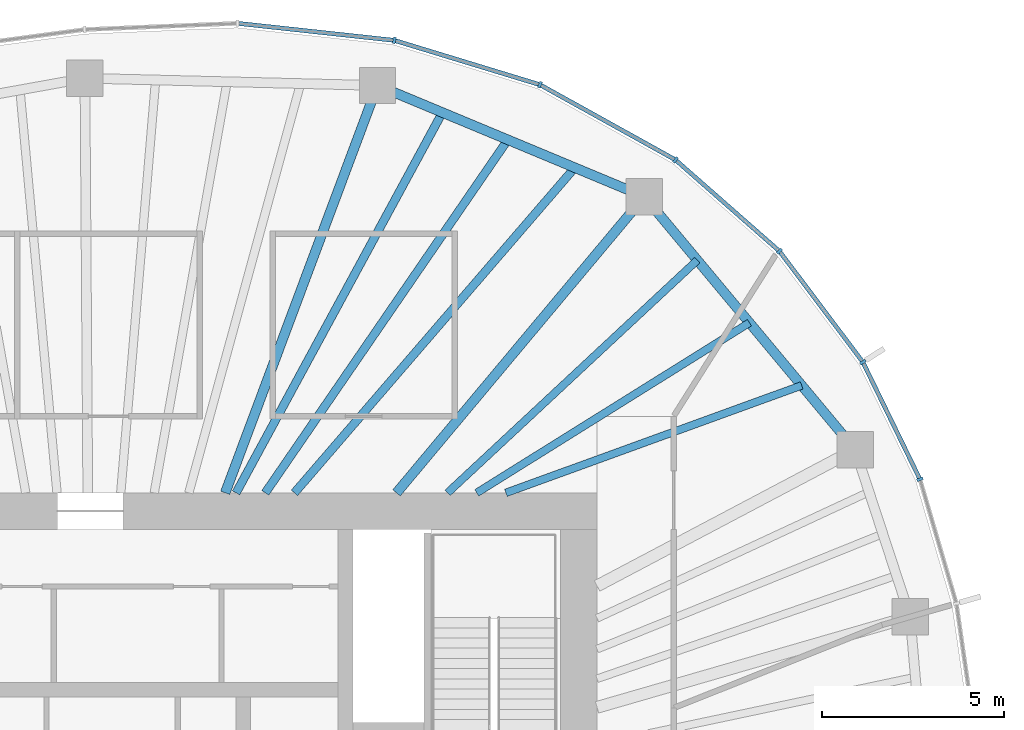
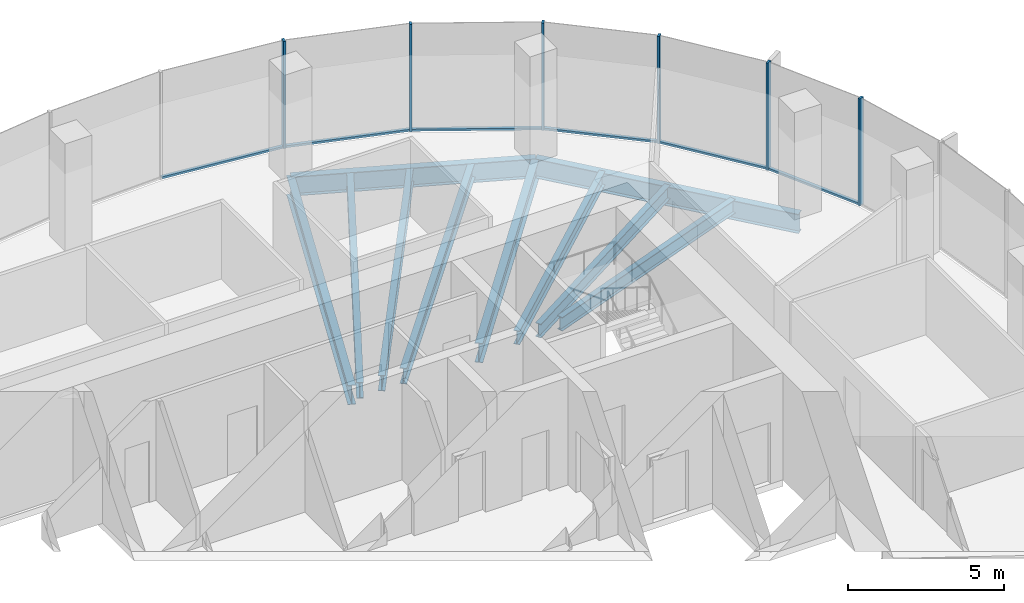
# One storey, part 6 of 11: 12 members, 10 beams, 4 elements without a shape of their own.
"""IFC4 building model written with IfcOpenShell, lengths in metres."""

from ifc_helpers import new_model, si_unit, direction, frame, origin, origin_2d, place, context, subcontext, project, spatial, rectangle, i_section, extrude, material, material_profile, profile_set, type_object, element, aggregate, save


model = new_model("IFC4")

# Units and contexts
model_context = context("Model", 3, precision=1e-05, world=origin(), true_north=direction((0.0, 1.0)))
body_context = subcontext(model_context, "Body", "Model", "MODEL_VIEW")
ifc_project = project(units=[si_unit("LENGTHUNIT", "METRE"), si_unit("AREAUNIT", "SQUARE_METRE"), si_unit("VOLUMEUNIT", "CUBIC_METRE"), si_unit("PLANEANGLEUNIT", "RADIAN"), si_unit("MASSUNIT", "GRAM", prefix="KILO")], contexts=[model_context])

# Site, building, storey
site_placement = place(None, origin())
site = spatial("IfcSite", under=ifc_project, at=site_placement, CompositionType="ELEMENT")
building_placement = place(site_placement, origin())
building = spatial("IfcBuilding", under=site, at=building_placement, Name="Ghaith Harvest Tower", CompositionType="ELEMENT")
storey_placement = place(building_placement, frame((0.0, 0.0, 330.0)))
storey = spatial("IfcBuildingStorey", under=building, at=storey_placement, Name="L74", CompositionType="ELEMENT", Elevation=330.0)

# Curtain wall, member
ifc_material_1 = material(Name="Black anodised aluminium and fritted glass", Category="aluminium")
curtain_wall_type = type_object("IfcCurtainWallType", Name="CW-T CURTAIN WALL", PredefinedType="NOTDEFINED", material=ifc_material_1)
curtain_wall_1_placement = place(storey_placement, origin())
curtain_wall_1 = element("IfcCurtainWall", 1, at=curtain_wall_1_placement, inside=storey, type_object=curtain_wall_type, Name="Curtain wall CW-T bay 02 L74", PredefinedType="NOTDEFINED")
ifc_material_2 = material(Name="Aluminium, black anodised", Category="aluminium")
ifc_material_profile_1 = material_profile(ifc_material_2, rectangle(XDim=0.080078125, YDim=0.179931640625, at=origin_2d()), Name="CW-T MULLION 80x180")
ifc_profile_set_1 = profile_set([ifc_material_profile_1], Name="Aluminium, black anodised")
member_type_1 = type_object("IfcMemberType", Name="CW-T MULLION 80x180", PredefinedType="MULLION", material=ifc_profile_set_1)
member_1_placement = place(storey_placement, frame((22.754150390625, 10.272216796875, 0.0), z_axis=(0.0, 0.0, 1.0), x_axis=(-0.361184273709, 0.932494461338, 0.0)))
member_1 = element("IfcMember", 2, at=member_1_placement, type_object=member_type_1, Name="CW-T mullion 2 bay 02 L74", PredefinedType="MULLION", context=body_context, shape_type="SweptSolid", body=[
    extrude(rectangle(XDim=0.080078125, YDim=0.179931640625, at=origin_2d()), origin(), (0.0, 0.0, 1.0), 4.199951171875),
])

# Curtain wall, members
curtain_wall_2_placement = place(storey_placement, origin())
curtain_wall_2 = element("IfcCurtainWall", 3, at=curtain_wall_2_placement, inside=storey, type_object=curtain_wall_type, Name="Curtain wall CW-T bay 03 L74", PredefinedType="NOTDEFINED")
member_2_placement = place(storey_placement, frame((21.18896484375, 13.48486328125, 0.0), z_axis=(0.0, 0.0, 1.0), x_axis=(-0.524482238522, 0.851421388899, 0.0)))
member_2 = element("IfcMember", 4, at=member_2_placement, type_object=member_type_1, Name="CW-T mullion 1 bay 03 L74", PredefinedType="MULLION", context=body_context, shape_type="SweptSolid", body=[
    extrude(rectangle(XDim=0.080078125, YDim=0.179931640625, at=origin_2d()), origin(), (0.0, 0.0, 1.0), 4.199951171875),
])
member_3_placement = place(storey_placement, frame((18.901123046875, 16.527099609375, 0.0), z_axis=(0.0, 0.0, 1.0), x_axis=(-0.679660897075, 0.733526458274, 0.0)))
member_3 = element("IfcMember", 5, at=member_3_placement, type_object=member_type_1, Name="CW-T mullion 2 bay 03 L74", PredefinedType="MULLION", context=body_context, shape_type="SweptSolid", body=[
    extrude(rectangle(XDim=0.080078125, YDim=0.179931640625, at=origin_2d()), origin(), (0.0, 0.0, 1.0), 4.199951171875),
])

curtain_wall_3_placement = place(storey_placement, origin())
curtain_wall_3 = element("IfcCurtainWall", 6, at=curtain_wall_3_placement, inside=storey, type_object=curtain_wall_type, Name="Curtain wall CW-T bay 04 L74", PredefinedType="NOTDEFINED")
member_4_placement = place(storey_placement, frame((16.04931640625, 19.031982421875, 0.0), z_axis=(0.0, 0.0, 1.0), x_axis=(-0.821112053873, 0.570767023385, 0.0)))
member_4 = element("IfcMember", 7, at=member_4_placement, type_object=member_type_1, Name="CW-T mullion 1 bay 04 L74", PredefinedType="MULLION", context=body_context, shape_type="SweptSolid", body=[
    extrude(rectangle(XDim=0.080078125, YDim=0.179931640625, at=origin_2d()), origin(), (0.0, 0.0, 1.0), 4.199951171875),
])
member_5_placement = place(storey_placement, frame((12.334228515625, 21.091796875, 0.0), z_axis=(0.0, 0.0, 1.0), x_axis=(-0.920319269246, 0.391168049123, 0.0)))
member_5 = element("IfcMember", 8, at=member_5_placement, type_object=member_type_1, Name="CW-T mullion 2 bay 04 L74", PredefinedType="MULLION", context=body_context, shape_type="SweptSolid", body=[
    extrude(rectangle(XDim=0.080078125, YDim=0.179931640625, at=origin_2d()), origin(), (0.0, 0.0, 1.0), 4.199951171875),
])

# Curtain wall, member
curtain_wall_4_placement = place(storey_placement, origin())
curtain_wall_4 = element("IfcCurtainWall", 9, at=curtain_wall_4_placement, inside=storey, type_object=curtain_wall_type, Name="Curtain wall CW-T bay 05 L74", PredefinedType="NOTDEFINED")
member_6_placement = place(storey_placement, frame((8.33984375, 22.308837890625, 0.0), z_axis=(0.0, 0.0, 1.0), x_axis=(-0.980000193436, 0.198996534809, 0.0)))
member_6 = element("IfcMember", 10, at=member_6_placement, type_object=member_type_1, Name="CW-T mullion 1 bay 05 L74", PredefinedType="MULLION", context=body_context, shape_type="SweptSolid", body=[
    extrude(rectangle(XDim=0.080078125, YDim=0.179931640625, at=origin_2d()), origin(), (0.0, 0.0, 1.0), 4.199951171875),
])

# Member
ifc_material_3 = material(Name="Aluminium, black anodised", Category="aluminium")
ifc_material_profile_2 = material_profile(ifc_material_3, rectangle(XDim=0.1201171875, YDim=0.080078125, at=origin_2d()), Name="CW-T TRANSOM 120x80")
ifc_profile_set_2 = profile_set([ifc_material_profile_2], Name="Aluminium, black anodised")
member_type_2 = type_object("IfcMemberType", Name="CW-T TRANSOM 120x80", PredefinedType="USERDEFINED", material=ifc_profile_set_2)
member_7_placement = place(storey_placement, frame((22.736572265625, 10.308349609375, 0.0400390625), z_axis=(-0.437965078712, 0.898991985408, 0.0), x_axis=(-0.898991985408, -0.437965078712, 0.0)))
member_7 = element("IfcMember", 11, at=member_7_placement, type_object=member_type_2, Name="CW-T transom 2 bay 02 L74", ObjectType="TRANSOM", PredefinedType="USERDEFINED", context=body_context, shape_type="SweptSolid", body=[
    extrude(rectangle(XDim=0.1201171875, YDim=0.080078125, at=origin_2d()), origin(), (0.0, 0.0, 1.0), 3.493408203125),
])

aggregate(curtain_wall_1, [member_1, member_7])

member_8_placement = place(storey_placement, frame((21.1650390625, 13.516845703125, 0.0400390625), z_axis=(-0.601079103045, 0.799189534392, 0.0), x_axis=(-0.799189534392, -0.601079103045, 0.0)))
member_8 = element("IfcMember", 12, at=member_8_placement, type_object=member_type_2, Name="CW-T transom 1 bay 03 L74", ObjectType="TRANSOM", PredefinedType="USERDEFINED", context=body_context, shape_type="SweptSolid", body=[
    extrude(rectangle(XDim=0.1201171875, YDim=0.080078125, at=origin_2d()), origin(), (0.0, 0.0, 1.0), 3.7265625),
])

member_9_placement = place(storey_placement, frame((18.87109375, 16.553466796875, 0.0400390625), z_axis=(-0.751325799984, 0.659931467865, 0.0), x_axis=(-0.659931467865, -0.751325799984, 0.0)))
member_9 = element("IfcMember", 13, at=member_9_placement, type_object=member_type_2, Name="CW-T transom 2 bay 03 L74", ObjectType="TRANSOM", PredefinedType="USERDEFINED", context=body_context, shape_type="SweptSolid", body=[
    extrude(rectangle(XDim=0.1201171875, YDim=0.080078125, at=origin_2d()), origin(), (0.0, 0.0, 1.0), 3.7158203125),
])

aggregate(curtain_wall_2, [member_2, member_8, member_3, member_9])

member_10_placement = place(storey_placement, frame((16.01416015625, 19.051513671875, 0.0400390625), z_axis=(-0.874552130553, 0.484931511603, 0.0), x_axis=(-0.484931511603, -0.874552130553, 0.0)))
member_10 = element("IfcMember", 14, at=member_10_placement, type_object=member_type_2, Name="CW-T transom 1 bay 04 L74", ObjectType="TRANSOM", PredefinedType="USERDEFINED", context=body_context, shape_type="SweptSolid", body=[
    extrude(rectangle(XDim=0.1201171875, YDim=0.080078125, at=origin_2d()), origin(), (0.0, 0.0, 1.0), 4.16748046875),
])

member_11_placement = place(storey_placement, frame((12.296142578125, 21.103515625, 0.0400390625), z_axis=(-0.956593713342, 0.291424891858, 0.0), x_axis=(-0.291424891858, -0.956593713342, 0.0)))
member_11 = element("IfcMember", 15, at=member_11_placement, type_object=member_type_2, Name="CW-T transom 2 bay 04 L74", ObjectType="TRANSOM", PredefinedType="USERDEFINED", context=body_context, shape_type="SweptSolid", body=[
    extrude(rectangle(XDim=0.1201171875, YDim=0.080078125, at=origin_2d()), origin(), (0.0, 0.0, 1.0), 4.095703125),
])

aggregate(curtain_wall_3, [member_4, member_10, member_5, member_11])

member_12_placement = place(storey_placement, frame((8.300048828125, 22.313232421875, 0.0400390625), z_axis=(-0.994144463069, 0.108059180768, 0.0), x_axis=(-0.108059180768, -0.994144463069, 0.0)))
member_12 = element("IfcMember", 16, at=member_12_placement, type_object=member_type_2, Name="CW-T transom 1 bay 05 L74", ObjectType="TRANSOM", PredefinedType="USERDEFINED", context=body_context, shape_type="SweptSolid", body=[
    extrude(rectangle(XDim=0.1201171875, YDim=0.080078125, at=origin_2d()), origin(), (0.0, 0.0, 1.0), 4.24755859375),
])

aggregate(curtain_wall_4, [member_6, member_12])

# Beams
ifc_material_4 = material(Name="Steel ASTM A992 Grade 50", Category="steel")
ifc_material_profile_3 = material_profile(ifc_material_4, i_section(OverallWidth=0.26611328125, OverallDepth=0.758056640625, WebThickness=0.013916015625, FlangeThickness=0.019287109375, at=origin_2d()), Name="W760X161")
ifc_profile_set_3 = profile_set([ifc_material_profile_3], Name="Steel ASTM A992 Grade 50")
beam_type_1 = type_object("IfcBeamType", Name="E760-161 W760X161", PredefinedType="SPANDREL", material=ifc_profile_set_3)
beam_1_placement = place(storey_placement, frame((20.97705078125, 11.087890625, -0.549072265625), z_axis=(-0.640173759088, 0.76823014662, 0.0), x_axis=(-0.76823014662, -0.640173759088, 0.0)))
element("IfcBeam", 17, at=beam_1_placement, inside=storey, type_object=beam_type_1, Name="Edge beam E03 L74", PredefinedType="SPANDREL", context=body_context, shape_type="SweptSolid", body=[
    extrude(i_section(OverallWidth=0.26611328125, OverallDepth=0.758056640625, WebThickness=0.013916015625, FlangeThickness=0.019287109375, at=origin_2d()), origin(), (0.0, 0.0, 1.0), 9.02734375),
])
beam_2_placement = place(storey_placement, frame((15.197998046875, 18.02294921875, -0.549072265625), z_axis=(-0.923119729219, 0.384512633766, 0.0), x_axis=(-0.384512633766, -0.923119729219, 0.0)))
element("IfcBeam", 18, at=beam_2_placement, inside=storey, type_object=beam_type_1, Name="Edge beam E04 L74", PredefinedType="SPANDREL", context=body_context, shape_type="SweptSolid", body=[
    extrude(i_section(OverallWidth=0.26611328125, OverallDepth=0.758056640625, WebThickness=0.013916015625, FlangeThickness=0.019287109375, at=origin_2d()), origin(), (0.0, 0.0, 1.0), 7.9296875),
])
ifc_material_5 = material(Name="Steel ASTM A992 Grade 50", Category="steel")
ifc_material_profile_4 = material_profile(ifc_material_5, i_section(OverallWidth=0.26611328125, OverallDepth=0.758056640625, WebThickness=0.013916015625, FlangeThickness=0.019287109375, at=origin_2d()), Name="W760X161")
ifc_profile_set_4 = profile_set([ifc_material_profile_4], Name="Steel ASTM A992 Grade 50")
beam_type_2 = type_object("IfcBeamType", Name="G760-161 W760X161", PredefinedType="BEAM", material=ifc_profile_set_4)
beam_3_placement = place(storey_placement, frame((8.39990234375, 9.89990234375, -0.549072265625), z_axis=(0.641792628883, 0.766878231215, 0.0), x_axis=(-0.766878231215, 0.641792628883, 0.0)))
element("IfcBeam", 19, at=beam_3_placement, inside=storey, type_object=beam_type_2, Name="Radial girder G04 L74", PredefinedType="BEAM", context=body_context, shape_type="SweptSolid", body=[
    extrude(i_section(OverallWidth=0.26611328125, OverallDepth=0.758056640625, WebThickness=0.013916015625, FlangeThickness=0.019287109375, at=origin_2d()), origin(), (0.0, 0.0, 1.0), 10.59228515625),
])
beam_4_placement = place(storey_placement, frame((3.700927734375, 9.89990234375, -0.549072265625), z_axis=(0.350201332531, 0.936674450753, 0.0), x_axis=(-0.936674450753, 0.350201332531, 0.0)))
element("IfcBeam", 20, at=beam_4_placement, inside=storey, type_object=beam_type_2, Name="Radial girder G05 L74", PredefinedType="BEAM", context=body_context, shape_type="SweptSolid", body=[
    extrude(i_section(OverallWidth=0.26611328125, OverallDepth=0.758056640625, WebThickness=0.013916015625, FlangeThickness=0.019287109375, at=origin_2d()), origin(), (0.0, 0.0, 1.0), 11.927490234375),
])
ifc_material_6 = material(Name="Steel ASTM A992 Grade 50", Category="steel")
ifc_material_profile_5 = material_profile(ifc_material_6, i_section(OverallWidth=0.2109375, OverallDepth=0.5390625, WebThickness=0.01171875, FlangeThickness=0.018798828125, at=origin_2d()), Name="W530X109")
ifc_profile_set_5 = profile_set([ifc_material_profile_5], Name="Steel ASTM A992 Grade 50")
beam_type_3 = type_object("IfcBeamType", Name="J530-109 W530X109", PredefinedType="JOIST", material=ifc_profile_set_5)
beam_5_placement = place(storey_placement, frame((11.39990234375, 9.89990234375, -0.439453125), z_axis=(0.939925501564, 0.341379629605, 0.0), x_axis=(-0.341379629605, 0.939925501564, 0.0)))
element("IfcBeam", 21, at=beam_5_placement, inside=storey, type_object=beam_type_3, Name="Joist J03.1 L74", PredefinedType="JOIST", context=body_context, shape_type="SweptSolid", body=[
    extrude(i_section(OverallWidth=0.2109375, OverallDepth=0.5390625, WebThickness=0.01171875, FlangeThickness=0.018798828125, at=origin_2d()), origin(), (0.0, 0.0, 1.0), 8.630615234375),
])
beam_6_placement = place(storey_placement, frame((10.60009765625, 9.89990234375, -0.439453125), z_axis=(0.84837619421, 0.52939383553, 0.0), x_axis=(-0.52939383553, 0.84837619421, 0.0)))
element("IfcBeam", 22, at=beam_6_placement, inside=storey, type_object=beam_type_3, Name="Joist J03.2 L74", PredefinedType="JOIST", context=body_context, shape_type="SweptSolid", body=[
    extrude(i_section(OverallWidth=0.2109375, OverallDepth=0.5390625, WebThickness=0.01171875, FlangeThickness=0.018798828125, at=origin_2d()), origin(), (0.0, 0.0, 1.0), 8.814697265625),
])
beam_7_placement = place(storey_placement, frame((9.800048828125, 9.89990234375, -0.439453125), z_axis=(0.73164904944, 0.681681500742, 0.0), x_axis=(-0.681681500742, 0.73164904944, 0.0)))
element("IfcBeam", 23, at=beam_7_placement, inside=storey, type_object=beam_type_3, Name="Joist J03.3 L74", PredefinedType="JOIST", context=body_context, shape_type="SweptSolid", body=[
    extrude(i_section(OverallWidth=0.2109375, OverallDepth=0.5390625, WebThickness=0.01171875, FlangeThickness=0.018798828125, at=origin_2d()), origin(), (0.0, 0.0, 1.0), 9.361572265625),
])
ifc_material_7 = material(Name="Steel ASTM A992 Grade 50", Category="steel")
ifc_material_profile_6 = material_profile(ifc_material_7, i_section(OverallWidth=0.22998046875, OverallDepth=0.616943359375, WebThickness=0.01318359375, FlangeThickness=0.022216796875, at=origin_2d()), Name="W610X140")
ifc_profile_set_6 = profile_set([ifc_material_profile_6], Name="Steel ASTM A992 Grade 50")
beam_type_4 = type_object("IfcBeamType", Name="J610-140 W610X140", PredefinedType="JOIST", material=ifc_profile_set_6)
beam_8_placement = place(storey_placement, frame((5.60009765625, 9.89990234375, -0.478515625), z_axis=(0.652992938501, 0.757363995888, 0.0), x_axis=(-0.757363995888, 0.652992938501, 0.0)))
element("IfcBeam", 24, at=beam_8_placement, inside=storey, type_object=beam_type_4, Name="Joist J04.1 L74", PredefinedType="JOIST", context=body_context, shape_type="SweptSolid", body=[
    extrude(i_section(OverallWidth=0.22998046875, OverallDepth=0.616943359375, WebThickness=0.01318359375, FlangeThickness=0.022216796875, at=origin_2d()), origin(), (0.0, 0.0, 1.0), 11.775390625),
])
beam_9_placement = place(storey_placement, frame((4.800048828125, 9.89990234375, -0.478515625), z_axis=(0.566228035119, 0.824248634967, 0.0), x_axis=(-0.824248634967, 0.566228035119, 0.0)))
element("IfcBeam", 25, at=beam_9_placement, inside=storey, type_object=beam_type_4, Name="Joist J04.2 L74", PredefinedType="JOIST", context=body_context, shape_type="SweptSolid", body=[
    extrude(i_section(OverallWidth=0.22998046875, OverallDepth=0.616943359375, WebThickness=0.01318359375, FlangeThickness=0.022216796875, at=origin_2d()), origin(), (0.0, 0.0, 1.0), 11.748046875),
])
beam_10_placement = place(storey_placement, frame((4.0, 9.89990234375, -0.478515625), z_axis=(0.476764926531, 0.879030832696, 0.0), x_axis=(-0.879030832696, 0.476764926531, 0.0)))
element("IfcBeam", 26, at=beam_10_placement, inside=storey, type_object=beam_type_4, Name="Joist J04.3 L74", PredefinedType="JOIST", context=body_context, shape_type="SweptSolid", body=[
    extrude(i_section(OverallWidth=0.22998046875, OverallDepth=0.616943359375, WebThickness=0.01318359375, FlangeThickness=0.022216796875, at=origin_2d()), origin(), (0.0, 0.0, 1.0), 11.866455078125),
])

save(model, "model.ifc")
